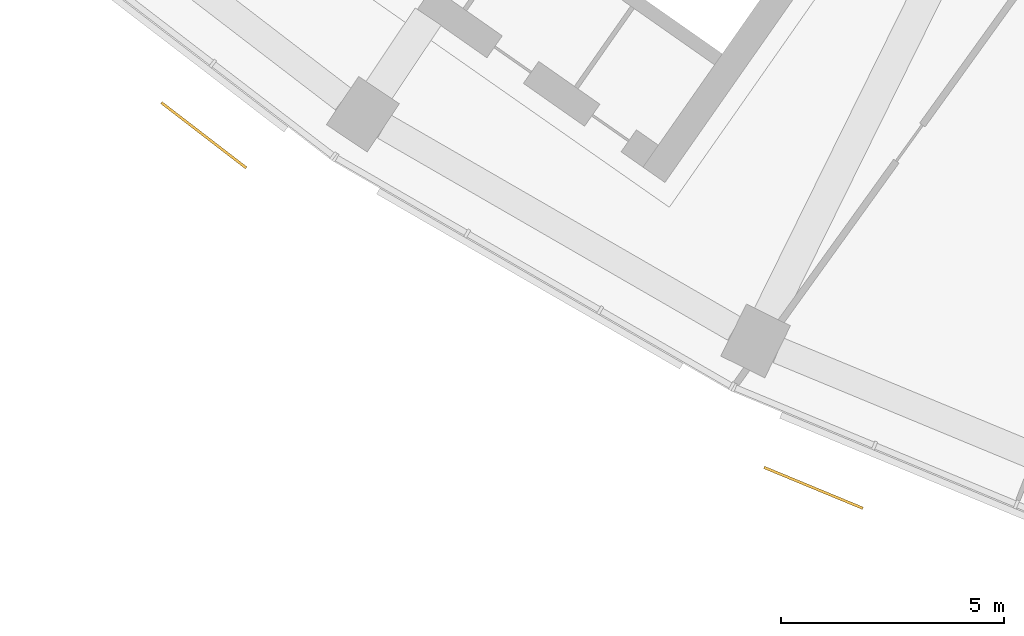
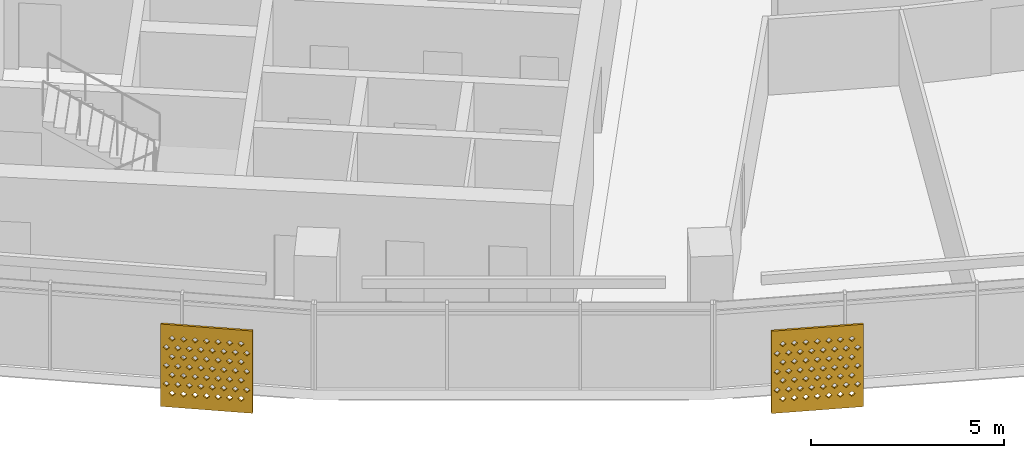
# One storey, part 22 of 27: 2 shading devices.
"""IFC4 building model written with IfcOpenShell, lengths in metres."""

from ifc_helpers import new_model, si_unit, direction, frame, origin, place, context, subcontext, project, spatial, polyline, outline, extrude, material, material_profile, profile_set, type_object, element, save


model = new_model("IFC4")

# Units and contexts
model_context = context("Model", 3, precision=1e-05, world=origin(), true_north=direction((0.0, 1.0)))
body_context = subcontext(model_context, "Body", "Model", "MODEL_VIEW")
ifc_project = project(units=[si_unit("LENGTHUNIT", "METRE"), si_unit("AREAUNIT", "SQUARE_METRE"), si_unit("VOLUMEUNIT", "CUBIC_METRE"), si_unit("PLANEANGLEUNIT", "RADIAN"), si_unit("MASSUNIT", "GRAM", prefix="KILO")], contexts=[model_context])

# Site, building, storey
site_placement = place(None, origin())
site = spatial("IfcSite", under=ifc_project, at=site_placement, CompositionType="ELEMENT")
building_placement = place(site_placement, origin())
building = spatial("IfcBuilding", under=site, at=building_placement, Name="Qamariyya Broadcast Tower", CompositionType="ELEMENT")
storey_placement = place(building_placement, frame((0.0, 0.0, 175.89990234375)))
storey = spatial("IfcBuildingStorey", under=building, at=storey_placement, Name="L41", CompositionType="ELEMENT", Elevation=175.89990234375)

# Shading devices
ifc_material = material(Name="Perforated glazed terracotta", Category="masonry")
ifc_material_profile = material_profile(ifc_material, outline(polyline([(-1.199951171875, -1.300048828125), (1.199951171875, -1.300048828125), (1.199951171875, 1.300048828125), (-1.199951171875, 1.300048828125), (-1.199951171875, -1.300048828125)]), holes=[polyline([(-0.81494140625, -0.86669921875), (-0.89990234375, -0.78173828125), (-0.985107421875, -0.86669921875), (-0.89990234375, -0.95166015625), (-0.81494140625, -0.86669921875)]), polyline([(-0.514892578125, -0.86669921875), (-0.60009765625, -0.78173828125), (-0.68505859375, -0.86669921875), (-0.60009765625, -0.95166015625), (-0.514892578125, -0.86669921875)]), polyline([(-0.215087890625, -0.86669921875), (-0.300048828125, -0.78173828125), (-0.385009765625, -0.86669921875), (-0.300048828125, -0.95166015625), (-0.215087890625, -0.86669921875)]), polyline([(0.0849609375, -0.86669921875), (0.0, -0.78173828125), (-0.0849609375, -0.86669921875), (0.0, -0.95166015625), (0.0849609375, -0.86669921875)]), polyline([(0.385009765625, -0.86669921875), (0.300048828125, -0.78173828125), (0.215087890625, -0.86669921875), (0.300048828125, -0.95166015625), (0.385009765625, -0.86669921875)]), polyline([(0.68505859375, -0.86669921875), (0.60009765625, -0.78173828125), (0.514892578125, -0.86669921875), (0.60009765625, -0.95166015625), (0.68505859375, -0.86669921875)]), polyline([(0.985107421875, -0.86669921875), (0.89990234375, -0.78173828125), (0.81494140625, -0.86669921875), (0.89990234375, -0.95166015625), (0.985107421875, -0.86669921875)]), polyline([(-0.965087890625, -0.577880859375), (-1.050048828125, -0.49267578125), (-1.135009765625, -0.577880859375), (-1.050048828125, -0.662841796875), (-0.965087890625, -0.577880859375)]), polyline([(-0.6650390625, -0.577880859375), (-0.75, -0.49267578125), (-0.8349609375, -0.577880859375), (-0.75, -0.662841796875), (-0.6650390625, -0.577880859375)]), polyline([(-0.364990234375, -0.577880859375), (-0.449951171875, -0.49267578125), (-0.534912109375, -0.577880859375), (-0.449951171875, -0.662841796875), (-0.364990234375, -0.577880859375)]), polyline([(-0.06494140625, -0.577880859375), (-0.14990234375, -0.49267578125), (-0.235107421875, -0.577880859375), (-0.14990234375, -0.662841796875), (-0.06494140625, -0.577880859375)]), polyline([(0.235107421875, -0.577880859375), (0.14990234375, -0.49267578125), (0.06494140625, -0.577880859375), (0.14990234375, -0.662841796875), (0.235107421875, -0.577880859375)]), polyline([(0.534912109375, -0.577880859375), (0.449951171875, -0.49267578125), (0.364990234375, -0.577880859375), (0.449951171875, -0.662841796875), (0.534912109375, -0.577880859375)]), polyline([(0.8349609375, -0.577880859375), (0.75, -0.49267578125), (0.6650390625, -0.577880859375), (0.75, -0.662841796875), (0.8349609375, -0.577880859375)]), polyline([(1.135009765625, -0.577880859375), (1.050048828125, -0.49267578125), (0.965087890625, -0.577880859375), (1.050048828125, -0.662841796875), (1.135009765625, -0.577880859375)]), polyline([(-0.81494140625, -0.288818359375), (-0.89990234375, -0.203857421875), (-0.985107421875, -0.288818359375), (-0.89990234375, -0.373779296875), (-0.81494140625, -0.288818359375)]), polyline([(-0.514892578125, -0.288818359375), (-0.60009765625, -0.203857421875), (-0.68505859375, -0.288818359375), (-0.60009765625, -0.373779296875), (-0.514892578125, -0.288818359375)]), polyline([(-0.215087890625, -0.288818359375), (-0.300048828125, -0.203857421875), (-0.385009765625, -0.288818359375), (-0.300048828125, -0.373779296875), (-0.215087890625, -0.288818359375)]), polyline([(0.0849609375, -0.288818359375), (0.0, -0.203857421875), (-0.0849609375, -0.288818359375), (0.0, -0.373779296875), (0.0849609375, -0.288818359375)]), polyline([(0.385009765625, -0.288818359375), (0.300048828125, -0.203857421875), (0.215087890625, -0.288818359375), (0.300048828125, -0.373779296875), (0.385009765625, -0.288818359375)]), polyline([(0.68505859375, -0.288818359375), (0.60009765625, -0.203857421875), (0.514892578125, -0.288818359375), (0.60009765625, -0.373779296875), (0.68505859375, -0.288818359375)]), polyline([(0.985107421875, -0.288818359375), (0.89990234375, -0.203857421875), (0.81494140625, -0.288818359375), (0.89990234375, -0.373779296875), (0.985107421875, -0.288818359375)]), polyline([(-0.965087890625, 0.0), (-1.050048828125, 0.0849609375), (-1.135009765625, 0.0), (-1.050048828125, -0.0849609375), (-0.965087890625, 0.0)]), polyline([(-0.6650390625, 0.0), (-0.75, 0.0849609375), (-0.8349609375, 0.0), (-0.75, -0.0849609375), (-0.6650390625, 0.0)]), polyline([(-0.364990234375, 0.0), (-0.449951171875, 0.0849609375), (-0.534912109375, 0.0), (-0.449951171875, -0.0849609375), (-0.364990234375, 0.0)]), polyline([(-0.06494140625, 0.0), (-0.14990234375, 0.0849609375), (-0.235107421875, 0.0), (-0.14990234375, -0.0849609375), (-0.06494140625, 0.0)]), polyline([(0.235107421875, 0.0), (0.14990234375, 0.0849609375), (0.06494140625, 0.0), (0.14990234375, -0.0849609375), (0.235107421875, 0.0)]), polyline([(0.534912109375, 0.0), (0.449951171875, 0.0849609375), (0.364990234375, 0.0), (0.449951171875, -0.0849609375), (0.534912109375, 0.0)]), polyline([(0.8349609375, 0.0), (0.75, 0.0849609375), (0.6650390625, 0.0), (0.75, -0.0849609375), (0.8349609375, 0.0)]), polyline([(1.135009765625, 0.0), (1.050048828125, 0.0849609375), (0.965087890625, 0.0), (1.050048828125, -0.0849609375), (1.135009765625, 0.0)]), polyline([(-0.81494140625, 0.288818359375), (-0.89990234375, 0.373779296875), (-0.985107421875, 0.288818359375), (-0.89990234375, 0.203857421875), (-0.81494140625, 0.288818359375)]), polyline([(-0.514892578125, 0.288818359375), (-0.60009765625, 0.373779296875), (-0.68505859375, 0.288818359375), (-0.60009765625, 0.203857421875), (-0.514892578125, 0.288818359375)]), polyline([(-0.215087890625, 0.288818359375), (-0.300048828125, 0.373779296875), (-0.385009765625, 0.288818359375), (-0.300048828125, 0.203857421875), (-0.215087890625, 0.288818359375)]), polyline([(0.0849609375, 0.288818359375), (0.0, 0.373779296875), (-0.0849609375, 0.288818359375), (0.0, 0.203857421875), (0.0849609375, 0.288818359375)]), polyline([(0.385009765625, 0.288818359375), (0.300048828125, 0.373779296875), (0.215087890625, 0.288818359375), (0.300048828125, 0.203857421875), (0.385009765625, 0.288818359375)]), polyline([(0.68505859375, 0.288818359375), (0.60009765625, 0.373779296875), (0.514892578125, 0.288818359375), (0.60009765625, 0.203857421875), (0.68505859375, 0.288818359375)]), polyline([(0.985107421875, 0.288818359375), (0.89990234375, 0.373779296875), (0.81494140625, 0.288818359375), (0.89990234375, 0.203857421875), (0.985107421875, 0.288818359375)]), polyline([(-0.965087890625, 0.577880859375), (-1.050048828125, 0.662841796875), (-1.135009765625, 0.577880859375), (-1.050048828125, 0.49267578125), (-0.965087890625, 0.577880859375)]), polyline([(-0.6650390625, 0.577880859375), (-0.75, 0.662841796875), (-0.8349609375, 0.577880859375), (-0.75, 0.49267578125), (-0.6650390625, 0.577880859375)]), polyline([(-0.364990234375, 0.577880859375), (-0.449951171875, 0.662841796875), (-0.534912109375, 0.577880859375), (-0.449951171875, 0.49267578125), (-0.364990234375, 0.577880859375)]), polyline([(-0.06494140625, 0.577880859375), (-0.14990234375, 0.662841796875), (-0.235107421875, 0.577880859375), (-0.14990234375, 0.49267578125), (-0.06494140625, 0.577880859375)]), polyline([(0.235107421875, 0.577880859375), (0.14990234375, 0.662841796875), (0.06494140625, 0.577880859375), (0.14990234375, 0.49267578125), (0.235107421875, 0.577880859375)]), polyline([(0.534912109375, 0.577880859375), (0.449951171875, 0.662841796875), (0.364990234375, 0.577880859375), (0.449951171875, 0.49267578125), (0.534912109375, 0.577880859375)]), polyline([(0.8349609375, 0.577880859375), (0.75, 0.662841796875), (0.6650390625, 0.577880859375), (0.75, 0.49267578125), (0.8349609375, 0.577880859375)]), polyline([(1.135009765625, 0.577880859375), (1.050048828125, 0.662841796875), (0.965087890625, 0.577880859375), (1.050048828125, 0.49267578125), (1.135009765625, 0.577880859375)]), polyline([(-0.81494140625, 0.86669921875), (-0.89990234375, 0.95166015625), (-0.985107421875, 0.86669921875), (-0.89990234375, 0.78173828125), (-0.81494140625, 0.86669921875)]), polyline([(-0.514892578125, 0.86669921875), (-0.60009765625, 0.95166015625), (-0.68505859375, 0.86669921875), (-0.60009765625, 0.78173828125), (-0.514892578125, 0.86669921875)]), polyline([(-0.215087890625, 0.86669921875), (-0.300048828125, 0.95166015625), (-0.385009765625, 0.86669921875), (-0.300048828125, 0.78173828125), (-0.215087890625, 0.86669921875)]), polyline([(0.0849609375, 0.86669921875), (0.0, 0.95166015625), (-0.0849609375, 0.86669921875), (0.0, 0.78173828125), (0.0849609375, 0.86669921875)]), polyline([(0.385009765625, 0.86669921875), (0.300048828125, 0.95166015625), (0.215087890625, 0.86669921875), (0.300048828125, 0.78173828125), (0.385009765625, 0.86669921875)]), polyline([(0.68505859375, 0.86669921875), (0.60009765625, 0.95166015625), (0.514892578125, 0.86669921875), (0.60009765625, 0.78173828125), (0.68505859375, 0.86669921875)]), polyline([(0.985107421875, 0.86669921875), (0.89990234375, 0.95166015625), (0.81494140625, 0.86669921875), (0.89990234375, 0.78173828125), (0.985107421875, 0.86669921875)])]))
ifc_profile_set = profile_set([ifc_material_profile], Name="Perforated glazed terracotta")
shading_device_type = type_object("IfcShadingDeviceType", Name="Perforated terracotta screen 2400 x 2600", PredefinedType="USERDEFINED", material=ifc_profile_set)
shading_device_1_placement = place(storey_placement, frame((-46.745849609375, -65.095458984375, 1.35009765625), z_axis=(-0.60971076085, -0.792623989105, 0.0), x_axis=(0.792623989105, -0.60971076085, 0.0)))
element("IfcShadingDevice", 1, at=shading_device_1_placement, inside=storey, type_object=shading_device_type, Name="e-scr-L41-02-2", ObjectType="SCREEN", PredefinedType="USERDEFINED", context=body_context, shape_type="SweptSolid", body=[
    extrude(outline(polyline([(-1.199951171875, -1.300048828125), (1.199951171875, -1.300048828125), (1.199951171875, 1.300048828125), (-1.199951171875, 1.300048828125), (-1.199951171875, -1.300048828125)]), holes=[polyline([(-0.81494140625, -0.86669921875), (-0.89990234375, -0.78173828125), (-0.985107421875, -0.86669921875), (-0.89990234375, -0.95166015625), (-0.81494140625, -0.86669921875)]), polyline([(-0.514892578125, -0.86669921875), (-0.60009765625, -0.78173828125), (-0.68505859375, -0.86669921875), (-0.60009765625, -0.95166015625), (-0.514892578125, -0.86669921875)]), polyline([(-0.215087890625, -0.86669921875), (-0.300048828125, -0.78173828125), (-0.385009765625, -0.86669921875), (-0.300048828125, -0.95166015625), (-0.215087890625, -0.86669921875)]), polyline([(0.0849609375, -0.86669921875), (0.0, -0.78173828125), (-0.0849609375, -0.86669921875), (0.0, -0.95166015625), (0.0849609375, -0.86669921875)]), polyline([(0.385009765625, -0.86669921875), (0.300048828125, -0.78173828125), (0.215087890625, -0.86669921875), (0.300048828125, -0.95166015625), (0.385009765625, -0.86669921875)]), polyline([(0.68505859375, -0.86669921875), (0.60009765625, -0.78173828125), (0.514892578125, -0.86669921875), (0.60009765625, -0.95166015625), (0.68505859375, -0.86669921875)]), polyline([(0.985107421875, -0.86669921875), (0.89990234375, -0.78173828125), (0.81494140625, -0.86669921875), (0.89990234375, -0.95166015625), (0.985107421875, -0.86669921875)]), polyline([(-0.965087890625, -0.577880859375), (-1.050048828125, -0.49267578125), (-1.135009765625, -0.577880859375), (-1.050048828125, -0.662841796875), (-0.965087890625, -0.577880859375)]), polyline([(-0.6650390625, -0.577880859375), (-0.75, -0.49267578125), (-0.8349609375, -0.577880859375), (-0.75, -0.662841796875), (-0.6650390625, -0.577880859375)]), polyline([(-0.364990234375, -0.577880859375), (-0.449951171875, -0.49267578125), (-0.534912109375, -0.577880859375), (-0.449951171875, -0.662841796875), (-0.364990234375, -0.577880859375)]), polyline([(-0.06494140625, -0.577880859375), (-0.14990234375, -0.49267578125), (-0.235107421875, -0.577880859375), (-0.14990234375, -0.662841796875), (-0.06494140625, -0.577880859375)]), polyline([(0.235107421875, -0.577880859375), (0.14990234375, -0.49267578125), (0.06494140625, -0.577880859375), (0.14990234375, -0.662841796875), (0.235107421875, -0.577880859375)]), polyline([(0.534912109375, -0.577880859375), (0.449951171875, -0.49267578125), (0.364990234375, -0.577880859375), (0.449951171875, -0.662841796875), (0.534912109375, -0.577880859375)]), polyline([(0.8349609375, -0.577880859375), (0.75, -0.49267578125), (0.6650390625, -0.577880859375), (0.75, -0.662841796875), (0.8349609375, -0.577880859375)]), polyline([(1.135009765625, -0.577880859375), (1.050048828125, -0.49267578125), (0.965087890625, -0.577880859375), (1.050048828125, -0.662841796875), (1.135009765625, -0.577880859375)]), polyline([(-0.81494140625, -0.288818359375), (-0.89990234375, -0.203857421875), (-0.985107421875, -0.288818359375), (-0.89990234375, -0.373779296875), (-0.81494140625, -0.288818359375)]), polyline([(-0.514892578125, -0.288818359375), (-0.60009765625, -0.203857421875), (-0.68505859375, -0.288818359375), (-0.60009765625, -0.373779296875), (-0.514892578125, -0.288818359375)]), polyline([(-0.215087890625, -0.288818359375), (-0.300048828125, -0.203857421875), (-0.385009765625, -0.288818359375), (-0.300048828125, -0.373779296875), (-0.215087890625, -0.288818359375)]), polyline([(0.0849609375, -0.288818359375), (0.0, -0.203857421875), (-0.0849609375, -0.288818359375), (0.0, -0.373779296875), (0.0849609375, -0.288818359375)]), polyline([(0.385009765625, -0.288818359375), (0.300048828125, -0.203857421875), (0.215087890625, -0.288818359375), (0.300048828125, -0.373779296875), (0.385009765625, -0.288818359375)]), polyline([(0.68505859375, -0.288818359375), (0.60009765625, -0.203857421875), (0.514892578125, -0.288818359375), (0.60009765625, -0.373779296875), (0.68505859375, -0.288818359375)]), polyline([(0.985107421875, -0.288818359375), (0.89990234375, -0.203857421875), (0.81494140625, -0.288818359375), (0.89990234375, -0.373779296875), (0.985107421875, -0.288818359375)]), polyline([(-0.965087890625, 0.0), (-1.050048828125, 0.0849609375), (-1.135009765625, 0.0), (-1.050048828125, -0.0849609375), (-0.965087890625, 0.0)]), polyline([(-0.6650390625, 0.0), (-0.75, 0.0849609375), (-0.8349609375, 0.0), (-0.75, -0.0849609375), (-0.6650390625, 0.0)]), polyline([(-0.364990234375, 0.0), (-0.449951171875, 0.0849609375), (-0.534912109375, 0.0), (-0.449951171875, -0.0849609375), (-0.364990234375, 0.0)]), polyline([(-0.06494140625, 0.0), (-0.14990234375, 0.0849609375), (-0.235107421875, 0.0), (-0.14990234375, -0.0849609375), (-0.06494140625, 0.0)]), polyline([(0.235107421875, 0.0), (0.14990234375, 0.0849609375), (0.06494140625, 0.0), (0.14990234375, -0.0849609375), (0.235107421875, 0.0)]), polyline([(0.534912109375, 0.0), (0.449951171875, 0.0849609375), (0.364990234375, 0.0), (0.449951171875, -0.0849609375), (0.534912109375, 0.0)]), polyline([(0.8349609375, 0.0), (0.75, 0.0849609375), (0.6650390625, 0.0), (0.75, -0.0849609375), (0.8349609375, 0.0)]), polyline([(1.135009765625, 0.0), (1.050048828125, 0.0849609375), (0.965087890625, 0.0), (1.050048828125, -0.0849609375), (1.135009765625, 0.0)]), polyline([(-0.81494140625, 0.288818359375), (-0.89990234375, 0.373779296875), (-0.985107421875, 0.288818359375), (-0.89990234375, 0.203857421875), (-0.81494140625, 0.288818359375)]), polyline([(-0.514892578125, 0.288818359375), (-0.60009765625, 0.373779296875), (-0.68505859375, 0.288818359375), (-0.60009765625, 0.203857421875), (-0.514892578125, 0.288818359375)]), polyline([(-0.215087890625, 0.288818359375), (-0.300048828125, 0.373779296875), (-0.385009765625, 0.288818359375), (-0.300048828125, 0.203857421875), (-0.215087890625, 0.288818359375)]), polyline([(0.0849609375, 0.288818359375), (0.0, 0.373779296875), (-0.0849609375, 0.288818359375), (0.0, 0.203857421875), (0.0849609375, 0.288818359375)]), polyline([(0.385009765625, 0.288818359375), (0.300048828125, 0.373779296875), (0.215087890625, 0.288818359375), (0.300048828125, 0.203857421875), (0.385009765625, 0.288818359375)]), polyline([(0.68505859375, 0.288818359375), (0.60009765625, 0.373779296875), (0.514892578125, 0.288818359375), (0.60009765625, 0.203857421875), (0.68505859375, 0.288818359375)]), polyline([(0.985107421875, 0.288818359375), (0.89990234375, 0.373779296875), (0.81494140625, 0.288818359375), (0.89990234375, 0.203857421875), (0.985107421875, 0.288818359375)]), polyline([(-0.965087890625, 0.577880859375), (-1.050048828125, 0.662841796875), (-1.135009765625, 0.577880859375), (-1.050048828125, 0.49267578125), (-0.965087890625, 0.577880859375)]), polyline([(-0.6650390625, 0.577880859375), (-0.75, 0.662841796875), (-0.8349609375, 0.577880859375), (-0.75, 0.49267578125), (-0.6650390625, 0.577880859375)]), polyline([(-0.364990234375, 0.577880859375), (-0.449951171875, 0.662841796875), (-0.534912109375, 0.577880859375), (-0.449951171875, 0.49267578125), (-0.364990234375, 0.577880859375)]), polyline([(-0.06494140625, 0.577880859375), (-0.14990234375, 0.662841796875), (-0.235107421875, 0.577880859375), (-0.14990234375, 0.49267578125), (-0.06494140625, 0.577880859375)]), polyline([(0.235107421875, 0.577880859375), (0.14990234375, 0.662841796875), (0.06494140625, 0.577880859375), (0.14990234375, 0.49267578125), (0.235107421875, 0.577880859375)]), polyline([(0.534912109375, 0.577880859375), (0.449951171875, 0.662841796875), (0.364990234375, 0.577880859375), (0.449951171875, 0.49267578125), (0.534912109375, 0.577880859375)]), polyline([(0.8349609375, 0.577880859375), (0.75, 0.662841796875), (0.6650390625, 0.577880859375), (0.75, 0.49267578125), (0.8349609375, 0.577880859375)]), polyline([(1.135009765625, 0.577880859375), (1.050048828125, 0.662841796875), (0.965087890625, 0.577880859375), (1.050048828125, 0.49267578125), (1.135009765625, 0.577880859375)]), polyline([(-0.81494140625, 0.86669921875), (-0.89990234375, 0.95166015625), (-0.985107421875, 0.86669921875), (-0.89990234375, 0.78173828125), (-0.81494140625, 0.86669921875)]), polyline([(-0.514892578125, 0.86669921875), (-0.60009765625, 0.95166015625), (-0.68505859375, 0.86669921875), (-0.60009765625, 0.78173828125), (-0.514892578125, 0.86669921875)]), polyline([(-0.215087890625, 0.86669921875), (-0.300048828125, 0.95166015625), (-0.385009765625, 0.86669921875), (-0.300048828125, 0.78173828125), (-0.215087890625, 0.86669921875)]), polyline([(0.0849609375, 0.86669921875), (0.0, 0.95166015625), (-0.0849609375, 0.86669921875), (0.0, 0.78173828125), (0.0849609375, 0.86669921875)]), polyline([(0.385009765625, 0.86669921875), (0.300048828125, 0.95166015625), (0.215087890625, 0.86669921875), (0.300048828125, 0.78173828125), (0.385009765625, 0.86669921875)]), polyline([(0.68505859375, 0.86669921875), (0.60009765625, 0.95166015625), (0.514892578125, 0.86669921875), (0.60009765625, 0.78173828125), (0.68505859375, 0.86669921875)]), polyline([(0.985107421875, 0.86669921875), (0.89990234375, 0.95166015625), (0.81494140625, 0.86669921875), (0.89990234375, 0.78173828125), (0.985107421875, 0.86669921875)])]), origin(), (0.0, 0.0, 1.0), 0.06005859375),
])
shading_device_2_placement = place(storey_placement, frame((-33.07861328125, -72.9990234375, 1.35009765625), z_axis=(-0.382591441855, -0.923917630863, 0.0), x_axis=(0.923917630863, -0.382591441855, 0.0)))
element("IfcShadingDevice", 2, at=shading_device_2_placement, inside=storey, type_object=shading_device_type, Name="e-scr-L41-04-0", ObjectType="SCREEN", PredefinedType="USERDEFINED", context=body_context, shape_type="SweptSolid", body=[
    extrude(outline(polyline([(-1.199951171875, -1.300048828125), (1.199951171875, -1.300048828125), (1.199951171875, 1.300048828125), (-1.199951171875, 1.300048828125), (-1.199951171875, -1.300048828125)]), holes=[polyline([(-0.81494140625, -0.86669921875), (-0.89990234375, -0.78173828125), (-0.985107421875, -0.86669921875), (-0.89990234375, -0.95166015625), (-0.81494140625, -0.86669921875)]), polyline([(-0.514892578125, -0.86669921875), (-0.60009765625, -0.78173828125), (-0.68505859375, -0.86669921875), (-0.60009765625, -0.95166015625), (-0.514892578125, -0.86669921875)]), polyline([(-0.215087890625, -0.86669921875), (-0.300048828125, -0.78173828125), (-0.385009765625, -0.86669921875), (-0.300048828125, -0.95166015625), (-0.215087890625, -0.86669921875)]), polyline([(0.0849609375, -0.86669921875), (0.0, -0.78173828125), (-0.0849609375, -0.86669921875), (0.0, -0.95166015625), (0.0849609375, -0.86669921875)]), polyline([(0.385009765625, -0.86669921875), (0.300048828125, -0.78173828125), (0.215087890625, -0.86669921875), (0.300048828125, -0.95166015625), (0.385009765625, -0.86669921875)]), polyline([(0.68505859375, -0.86669921875), (0.60009765625, -0.78173828125), (0.514892578125, -0.86669921875), (0.60009765625, -0.95166015625), (0.68505859375, -0.86669921875)]), polyline([(0.985107421875, -0.86669921875), (0.89990234375, -0.78173828125), (0.81494140625, -0.86669921875), (0.89990234375, -0.95166015625), (0.985107421875, -0.86669921875)]), polyline([(-0.965087890625, -0.577880859375), (-1.050048828125, -0.49267578125), (-1.135009765625, -0.577880859375), (-1.050048828125, -0.662841796875), (-0.965087890625, -0.577880859375)]), polyline([(-0.6650390625, -0.577880859375), (-0.75, -0.49267578125), (-0.8349609375, -0.577880859375), (-0.75, -0.662841796875), (-0.6650390625, -0.577880859375)]), polyline([(-0.364990234375, -0.577880859375), (-0.449951171875, -0.49267578125), (-0.534912109375, -0.577880859375), (-0.449951171875, -0.662841796875), (-0.364990234375, -0.577880859375)]), polyline([(-0.06494140625, -0.577880859375), (-0.14990234375, -0.49267578125), (-0.235107421875, -0.577880859375), (-0.14990234375, -0.662841796875), (-0.06494140625, -0.577880859375)]), polyline([(0.235107421875, -0.577880859375), (0.14990234375, -0.49267578125), (0.06494140625, -0.577880859375), (0.14990234375, -0.662841796875), (0.235107421875, -0.577880859375)]), polyline([(0.534912109375, -0.577880859375), (0.449951171875, -0.49267578125), (0.364990234375, -0.577880859375), (0.449951171875, -0.662841796875), (0.534912109375, -0.577880859375)]), polyline([(0.8349609375, -0.577880859375), (0.75, -0.49267578125), (0.6650390625, -0.577880859375), (0.75, -0.662841796875), (0.8349609375, -0.577880859375)]), polyline([(1.135009765625, -0.577880859375), (1.050048828125, -0.49267578125), (0.965087890625, -0.577880859375), (1.050048828125, -0.662841796875), (1.135009765625, -0.577880859375)]), polyline([(-0.81494140625, -0.288818359375), (-0.89990234375, -0.203857421875), (-0.985107421875, -0.288818359375), (-0.89990234375, -0.373779296875), (-0.81494140625, -0.288818359375)]), polyline([(-0.514892578125, -0.288818359375), (-0.60009765625, -0.203857421875), (-0.68505859375, -0.288818359375), (-0.60009765625, -0.373779296875), (-0.514892578125, -0.288818359375)]), polyline([(-0.215087890625, -0.288818359375), (-0.300048828125, -0.203857421875), (-0.385009765625, -0.288818359375), (-0.300048828125, -0.373779296875), (-0.215087890625, -0.288818359375)]), polyline([(0.0849609375, -0.288818359375), (0.0, -0.203857421875), (-0.0849609375, -0.288818359375), (0.0, -0.373779296875), (0.0849609375, -0.288818359375)]), polyline([(0.385009765625, -0.288818359375), (0.300048828125, -0.203857421875), (0.215087890625, -0.288818359375), (0.300048828125, -0.373779296875), (0.385009765625, -0.288818359375)]), polyline([(0.68505859375, -0.288818359375), (0.60009765625, -0.203857421875), (0.514892578125, -0.288818359375), (0.60009765625, -0.373779296875), (0.68505859375, -0.288818359375)]), polyline([(0.985107421875, -0.288818359375), (0.89990234375, -0.203857421875), (0.81494140625, -0.288818359375), (0.89990234375, -0.373779296875), (0.985107421875, -0.288818359375)]), polyline([(-0.965087890625, 0.0), (-1.050048828125, 0.0849609375), (-1.135009765625, 0.0), (-1.050048828125, -0.0849609375), (-0.965087890625, 0.0)]), polyline([(-0.6650390625, 0.0), (-0.75, 0.0849609375), (-0.8349609375, 0.0), (-0.75, -0.0849609375), (-0.6650390625, 0.0)]), polyline([(-0.364990234375, 0.0), (-0.449951171875, 0.0849609375), (-0.534912109375, 0.0), (-0.449951171875, -0.0849609375), (-0.364990234375, 0.0)]), polyline([(-0.06494140625, 0.0), (-0.14990234375, 0.0849609375), (-0.235107421875, 0.0), (-0.14990234375, -0.0849609375), (-0.06494140625, 0.0)]), polyline([(0.235107421875, 0.0), (0.14990234375, 0.0849609375), (0.06494140625, 0.0), (0.14990234375, -0.0849609375), (0.235107421875, 0.0)]), polyline([(0.534912109375, 0.0), (0.449951171875, 0.0849609375), (0.364990234375, 0.0), (0.449951171875, -0.0849609375), (0.534912109375, 0.0)]), polyline([(0.8349609375, 0.0), (0.75, 0.0849609375), (0.6650390625, 0.0), (0.75, -0.0849609375), (0.8349609375, 0.0)]), polyline([(1.135009765625, 0.0), (1.050048828125, 0.0849609375), (0.965087890625, 0.0), (1.050048828125, -0.0849609375), (1.135009765625, 0.0)]), polyline([(-0.81494140625, 0.288818359375), (-0.89990234375, 0.373779296875), (-0.985107421875, 0.288818359375), (-0.89990234375, 0.203857421875), (-0.81494140625, 0.288818359375)]), polyline([(-0.514892578125, 0.288818359375), (-0.60009765625, 0.373779296875), (-0.68505859375, 0.288818359375), (-0.60009765625, 0.203857421875), (-0.514892578125, 0.288818359375)]), polyline([(-0.215087890625, 0.288818359375), (-0.300048828125, 0.373779296875), (-0.385009765625, 0.288818359375), (-0.300048828125, 0.203857421875), (-0.215087890625, 0.288818359375)]), polyline([(0.0849609375, 0.288818359375), (0.0, 0.373779296875), (-0.0849609375, 0.288818359375), (0.0, 0.203857421875), (0.0849609375, 0.288818359375)]), polyline([(0.385009765625, 0.288818359375), (0.300048828125, 0.373779296875), (0.215087890625, 0.288818359375), (0.300048828125, 0.203857421875), (0.385009765625, 0.288818359375)]), polyline([(0.68505859375, 0.288818359375), (0.60009765625, 0.373779296875), (0.514892578125, 0.288818359375), (0.60009765625, 0.203857421875), (0.68505859375, 0.288818359375)]), polyline([(0.985107421875, 0.288818359375), (0.89990234375, 0.373779296875), (0.81494140625, 0.288818359375), (0.89990234375, 0.203857421875), (0.985107421875, 0.288818359375)]), polyline([(-0.965087890625, 0.577880859375), (-1.050048828125, 0.662841796875), (-1.135009765625, 0.577880859375), (-1.050048828125, 0.49267578125), (-0.965087890625, 0.577880859375)]), polyline([(-0.6650390625, 0.577880859375), (-0.75, 0.662841796875), (-0.8349609375, 0.577880859375), (-0.75, 0.49267578125), (-0.6650390625, 0.577880859375)]), polyline([(-0.364990234375, 0.577880859375), (-0.449951171875, 0.662841796875), (-0.534912109375, 0.577880859375), (-0.449951171875, 0.49267578125), (-0.364990234375, 0.577880859375)]), polyline([(-0.06494140625, 0.577880859375), (-0.14990234375, 0.662841796875), (-0.235107421875, 0.577880859375), (-0.14990234375, 0.49267578125), (-0.06494140625, 0.577880859375)]), polyline([(0.235107421875, 0.577880859375), (0.14990234375, 0.662841796875), (0.06494140625, 0.577880859375), (0.14990234375, 0.49267578125), (0.235107421875, 0.577880859375)]), polyline([(0.534912109375, 0.577880859375), (0.449951171875, 0.662841796875), (0.364990234375, 0.577880859375), (0.449951171875, 0.49267578125), (0.534912109375, 0.577880859375)]), polyline([(0.8349609375, 0.577880859375), (0.75, 0.662841796875), (0.6650390625, 0.577880859375), (0.75, 0.49267578125), (0.8349609375, 0.577880859375)]), polyline([(1.135009765625, 0.577880859375), (1.050048828125, 0.662841796875), (0.965087890625, 0.577880859375), (1.050048828125, 0.49267578125), (1.135009765625, 0.577880859375)]), polyline([(-0.81494140625, 0.86669921875), (-0.89990234375, 0.95166015625), (-0.985107421875, 0.86669921875), (-0.89990234375, 0.78173828125), (-0.81494140625, 0.86669921875)]), polyline([(-0.514892578125, 0.86669921875), (-0.60009765625, 0.95166015625), (-0.68505859375, 0.86669921875), (-0.60009765625, 0.78173828125), (-0.514892578125, 0.86669921875)]), polyline([(-0.215087890625, 0.86669921875), (-0.300048828125, 0.95166015625), (-0.385009765625, 0.86669921875), (-0.300048828125, 0.78173828125), (-0.215087890625, 0.86669921875)]), polyline([(0.0849609375, 0.86669921875), (0.0, 0.95166015625), (-0.0849609375, 0.86669921875), (0.0, 0.78173828125), (0.0849609375, 0.86669921875)]), polyline([(0.385009765625, 0.86669921875), (0.300048828125, 0.95166015625), (0.215087890625, 0.86669921875), (0.300048828125, 0.78173828125), (0.385009765625, 0.86669921875)]), polyline([(0.68505859375, 0.86669921875), (0.60009765625, 0.95166015625), (0.514892578125, 0.86669921875), (0.60009765625, 0.78173828125), (0.68505859375, 0.86669921875)]), polyline([(0.985107421875, 0.86669921875), (0.89990234375, 0.95166015625), (0.81494140625, 0.86669921875), (0.89990234375, 0.78173828125), (0.985107421875, 0.86669921875)])]), origin(), (0.0, 0.0, 1.0), 0.06005859375),
])

save(model, "model.ifc")
